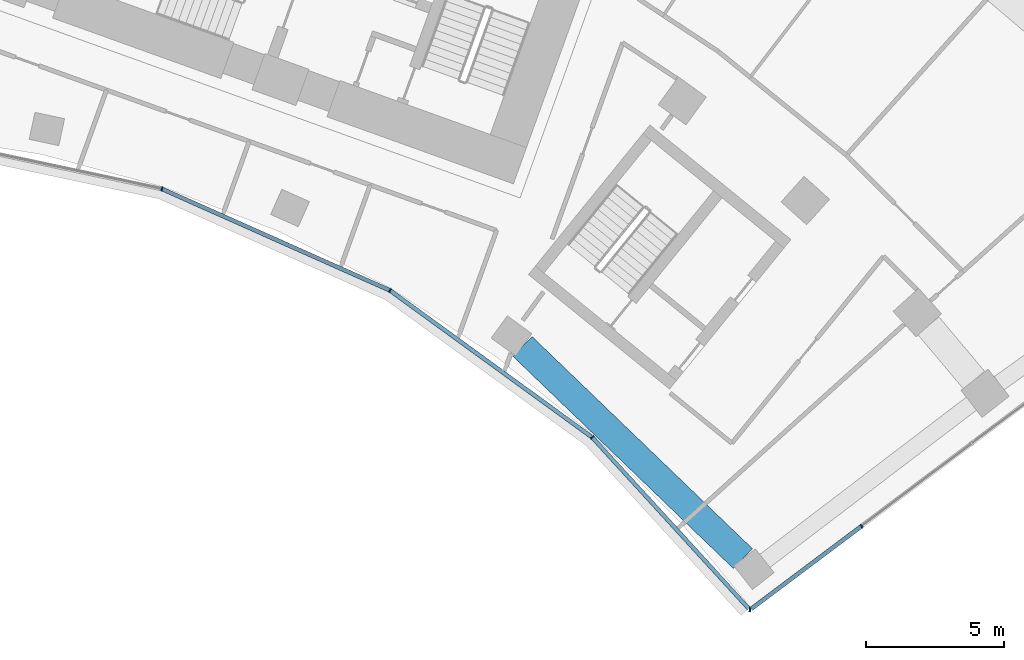
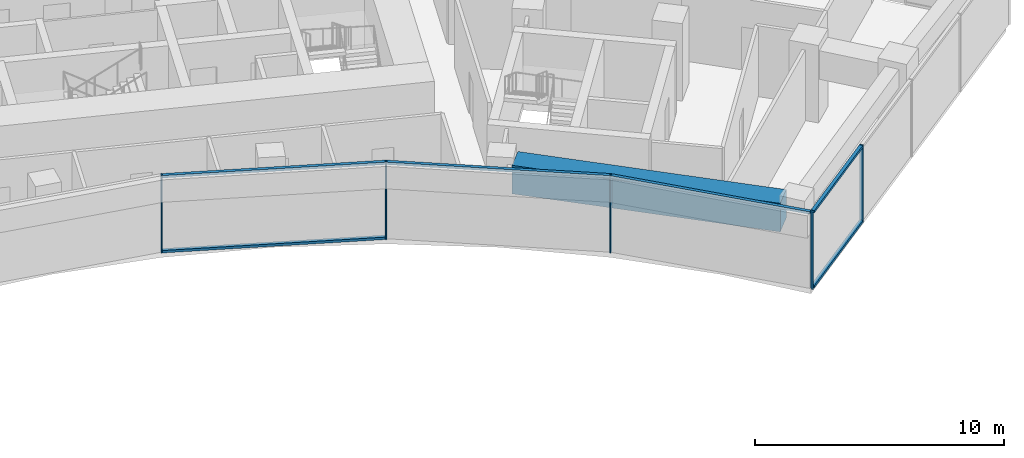
# One storey, part 9 of 22: 11 members, 1 beam, 2 elements without a shape of their own.
"""IFC4 building model written with IfcOpenShell, lengths in metres."""

from ifc_helpers import new_model, si_unit, direction, frame, origin, origin_2d, place, context, subcontext, project, spatial, rectangle, extrude, material, layer, layer_set, material_profile, profile_set, type_object, element, aggregate, save


model = new_model("IFC4")

# Units and contexts
model_context = context("Model", 3, precision=1e-05, world=origin(), true_north=direction((0.0, 1.0)))
body_context = subcontext(model_context, "Body", "Model", "MODEL_VIEW")
ifc_project = project(units=[si_unit("LENGTHUNIT", "METRE"), si_unit("AREAUNIT", "SQUARE_METRE"), si_unit("VOLUMEUNIT", "CUBIC_METRE"), si_unit("PLANEANGLEUNIT", "RADIAN"), si_unit("MASSUNIT", "GRAM", prefix="KILO")], contexts=[model_context])

# Site, building, storey
site_placement = place(None, origin())
site = spatial("IfcSite", under=ifc_project, at=site_placement, CompositionType="ELEMENT")
building_placement = place(site_placement, origin())
building = spatial("IfcBuilding", under=site, at=building_placement, Name="Stone Belt Terrace Tower", CompositionType="ELEMENT")
storey_placement = place(building_placement, frame((0.0, 0.0, 155.39990234375)))
storey = spatial("IfcBuildingStorey", under=building, at=storey_placement, Name="L37", CompositionType="ELEMENT", Elevation=155.39990234375)

# Curtain wall, members
ifc_material_1 = material(Name="Aluminium 6063-T6 anodised frame", Category="aluminium")
ifc_layer_1 = layer(ifc_material_1, 0.14990234375)
ifc_layer_set_1 = layer_set([ifc_layer_1], Name="CW-B unitised concave-face curtain wall")
curtain_wall_type_1 = type_object("IfcCurtainWallType", Name="CW-B unitised concave-face curtain wall", PredefinedType="NOTDEFINED", material=ifc_layer_set_1)
curtain_wall_1_placement = place(storey_placement, origin())
curtain_wall_1 = element("IfcCurtainWall", 1, at=curtain_wall_1_placement, inside=storey, type_object=curtain_wall_type_1, Name="CW-B concave face L37", PredefinedType="NOTDEFINED")
ifc_material_profile_1 = material_profile(ifc_material_1, rectangle(XDim=0.14990234375, YDim=0.050048828125, at=origin_2d()), Name="Aluminium 6063-T6 50x150")
ifc_profile_set_1 = profile_set([ifc_material_profile_1], Name="Aluminium 6063-T6 anodised frame")
member_type_1 = type_object("IfcMemberType", Name="CW-B mullion 50 x 150", PredefinedType="MULLION", material=ifc_profile_set_1)
member_1_placement = place(storey_placement, frame((13.4189453125, 41.29931640625, 0.0), z_axis=(0.0, 0.0, 1.0), x_axis=(0.309016994375, 0.951056516295, 0.0)))
member_1 = element("IfcMember", 2, at=member_1_placement, type_object=member_type_1, Name="CW-B mullion 7", PredefinedType="MULLION", context=body_context, shape_type="SweptSolid", body=[
    extrude(rectangle(XDim=0.14990234375, YDim=0.050048828125, at=origin_2d()), origin(), (0.0, 0.0, 1.0), 3.800048828125),
])
member_2_placement = place(storey_placement, frame((21.71240234375, 37.606689453125, 0.0), z_axis=(0.0, 0.0, 1.0), x_axis=(0.5, 0.866025403784, 0.0)))
member_2 = element("IfcMember", 3, at=member_2_placement, type_object=member_type_1, Name="CW-B mullion 8", PredefinedType="MULLION", context=body_context, shape_type="SweptSolid", body=[
    extrude(rectangle(XDim=0.14990234375, YDim=0.050048828125, at=origin_2d()), origin(), (0.0, 0.0, 1.0), 3.800048828125),
])
member_3_placement = place(storey_placement, frame((29.056884765625, 32.2705078125, 0.0), z_axis=(0.0, 0.0, 1.0), x_axis=(0.666300886777, 0.745682994496, 0.0)))
member_3 = element("IfcMember", 4, at=member_3_placement, type_object=member_type_1, Name="CW-B mullion 9", PredefinedType="MULLION", context=body_context, shape_type="SweptSolid", body=[
    extrude(rectangle(XDim=0.14990234375, YDim=0.050048828125, at=origin_2d()), origin(), (0.0, 0.0, 1.0), 3.800048828125),
])
ifc_material_profile_2 = material_profile(ifc_material_1, rectangle(XDim=0.14990234375, YDim=0.1201171875, at=origin_2d()), Name="Aluminium 6063-T6 150x120")
ifc_profile_set_2 = profile_set([ifc_material_profile_2], Name="Aluminium 6063-T6 anodised frame")
member_type_2 = type_object("IfcMemberType", Name="CW-B transom 120 x 150", PredefinedType="USERDEFINED", material=ifc_profile_set_2)
member_4_placement = place(storey_placement, frame((13.44873046875, 41.285888671875, 0.06005859375), z_axis=(0.913548853737, -0.406729015237, 0.0), x_axis=(0.406729015237, 0.913548853737, 0.0)))
member_4 = element("IfcMember", 5, at=member_4_placement, type_object=member_type_2, Name="CW-B transom 7.1", ObjectType="TRANSOM", PredefinedType="USERDEFINED", context=body_context, shape_type="SweptSolid", body=[
    extrude(rectangle(XDim=0.14990234375, YDim=0.1201171875, at=origin_2d()), origin(), (0.0, 0.0, 1.0), 9.0126953125),
])
member_5_placement = place(storey_placement, frame((13.44873046875, 41.285888671875, 3.739990234375), z_axis=(0.913548853737, -0.406729015237, 0.0), x_axis=(0.406729015237, 0.913548853737, 0.0)))
member_5 = element("IfcMember", 6, at=member_5_placement, type_object=member_type_2, Name="CW-B transom 7.2", ObjectType="TRANSOM", PredefinedType="USERDEFINED", context=body_context, shape_type="SweptSolid", body=[
    extrude(rectangle(XDim=0.14990234375, YDim=0.1201171875, at=origin_2d()), origin(), (0.0, 0.0, 1.0), 9.0126953125),
])
member_6_placement = place(storey_placement, frame((21.73876953125, 37.587646484375, 3.739990234375), z_axis=(0.809008908433, -0.587796381475, 0.0), x_axis=(0.587796381475, 0.809008908433, 0.0)))
member_6 = element("IfcMember", 7, at=member_6_placement, type_object=member_type_2, Name="CW-B transom 8.1", ObjectType="TRANSOM", PredefinedType="USERDEFINED", context=body_context, shape_type="SweptSolid", body=[
    extrude(rectangle(XDim=0.14990234375, YDim=0.1201171875, at=origin_2d()), origin(), (0.0, 0.0, 1.0), 9.013427734375),
])
member_7_placement = place(storey_placement, frame((29.078857421875, 32.24658203125, 3.739990234375), z_axis=(0.674757432231, -0.738039570517, 0.0), x_axis=(0.738039570517, 0.674757432231, 0.0)))
member_7 = element("IfcMember", 8, at=member_7_placement, type_object=member_type_2, Name="CW-B transom 9.1", ObjectType="TRANSOM", PredefinedType="USERDEFINED", context=body_context, shape_type="SweptSolid", body=[
    extrude(rectangle(XDim=0.14990234375, YDim=0.1201171875, at=origin_2d()), origin(), (0.0, 0.0, 1.0), 8.39501953125),
])
aggregate(curtain_wall_1, [member_1, member_2, member_3, member_4, member_5, member_6, member_7])

ifc_layer_2 = layer(ifc_material_1, 0.14990234375)
ifc_layer_set_2 = layer_set([ifc_layer_2], Name="CW-C stick curtain wall, horn ends and notches")
curtain_wall_type_2 = type_object("IfcCurtainWallType", Name="CW-C stick curtain wall, horn ends and notches", PredefinedType="NOTDEFINED", material=ifc_layer_set_2)
curtain_wall_2_placement = place(storey_placement, origin())
curtain_wall_2 = element("IfcCurtainWall", 9, at=curtain_wall_2_placement, inside=storey, type_object=curtain_wall_type_2, Name="CW-C end face L37", PredefinedType="NOTDEFINED")
ifc_material_profile_3 = material_profile(ifc_material_1, rectangle(XDim=0.14990234375, YDim=0.06005859375, at=origin_2d()), Name="Aluminium 6063-T6 60x150")
ifc_profile_set_3 = profile_set([ifc_material_profile_3], Name="Aluminium 6063-T6 anodised frame")
member_type_3 = type_object("IfcMemberType", Name="CW-C mullion 60 x 150", PredefinedType="MULLION", material=ifc_profile_set_3)
member_8_placement = place(storey_placement, frame((34.7900390625, 26.0, 0.0), z_axis=(0.0, 0.0, 1.0), x_axis=(0.093180581986, 0.995649224949, 0.0)))
member_8 = element("IfcMember", 10, at=member_8_placement, type_object=member_type_3, Name="CW-C mullion 1", PredefinedType="MULLION", context=body_context, shape_type="SweptSolid", body=[
    extrude(rectangle(XDim=0.14990234375, YDim=0.06005859375, at=origin_2d()), origin(), (0.0, 0.0, 1.0), 3.800048828125),
])
member_9_placement = place(storey_placement, frame((38.84423828125, 29.040771484375, 0.0), z_axis=(0.0, 0.0, 1.0), x_axis=(-0.600017992436, 0.799986505357, 0.0)))
member_9 = element("IfcMember", 11, at=member_9_placement, type_object=member_type_3, Name="CW-C mullion 2", PredefinedType="MULLION", context=body_context, shape_type="SweptSolid", body=[
    extrude(rectangle(XDim=0.14990234375, YDim=0.06005859375, at=origin_2d()), origin(), (0.0, 0.0, 1.0), 3.800048828125),
])
ifc_material_profile_4 = material_profile(ifc_material_1, rectangle(XDim=0.14990234375, YDim=0.1201171875, at=origin_2d()), Name="Aluminium 6063-T6 150x120")
ifc_profile_set_4 = profile_set([ifc_material_profile_4], Name="Aluminium 6063-T6 anodised frame")
member_type_4 = type_object("IfcMemberType", Name="CW-C transom 120 x 150", PredefinedType="USERDEFINED", material=ifc_profile_set_4)
member_10_placement = place(storey_placement, frame((34.84814453125, 26.04345703125, 0.06005859375), z_axis=(0.799964597593, 0.600047200309, 0.0), x_axis=(-0.600047200309, 0.799964597593, 0.0)))
member_10 = element("IfcMember", 12, at=member_10_placement, type_object=member_type_4, Name="CW-C transom 1.1", ObjectType="TRANSOM", PredefinedType="USERDEFINED", context=body_context, shape_type="SweptSolid", body=[
    extrude(rectangle(XDim=0.14990234375, YDim=0.1201171875, at=origin_2d()), origin(), (0.0, 0.0, 1.0), 4.96533203125),
])
member_11_placement = place(storey_placement, frame((34.84814453125, 26.04345703125, 3.739990234375), z_axis=(0.799964597593, 0.600047200309, 0.0), x_axis=(-0.600047200309, 0.799964597593, 0.0)))
member_11 = element("IfcMember", 13, at=member_11_placement, type_object=member_type_4, Name="CW-C transom 1.2", ObjectType="TRANSOM", PredefinedType="USERDEFINED", context=body_context, shape_type="SweptSolid", body=[
    extrude(rectangle(XDim=0.14990234375, YDim=0.1201171875, at=origin_2d()), origin(), (0.0, 0.0, 1.0), 4.96533203125),
])
aggregate(curtain_wall_2, [member_8, member_9, member_10, member_11])

# Beam
ifc_material_2 = material(Name="Concrete B80", Category="concrete")
ifc_material_profile_5 = material_profile(ifc_material_2, rectangle(XDim=1.0, YDim=1.39990234375, at=origin_2d()), Name="RC 1000x1400")
ifc_profile_set_5 = profile_set([ifc_material_profile_5], Name="Concrete B80")
beam_type = type_object("IfcBeamType", Name="Transfer beam RC 1000x1400 B80", PredefinedType="BEAM", material=ifc_profile_set_5)
beam_placement = place(storey_placement, frame((26.524169921875, 35.57177734375, 2.780029296875), z_axis=(0.72046161739, -0.693494814593, 0.0), x_axis=(0.693494814593, 0.72046161739, 0.0)))
element("IfcBeam", 14, at=beam_placement, inside=storey, type_object=beam_type, Name="Transfer beam L37 PP28-PB", PredefinedType="BEAM", context=body_context, shape_type="SweptSolid", body=[
    extrude(rectangle(XDim=1.0, YDim=1.39990234375, at=origin_2d()), origin(), (0.0, 0.0, 1.0), 11.117431640625),
])

save(model, "model.ifc")
